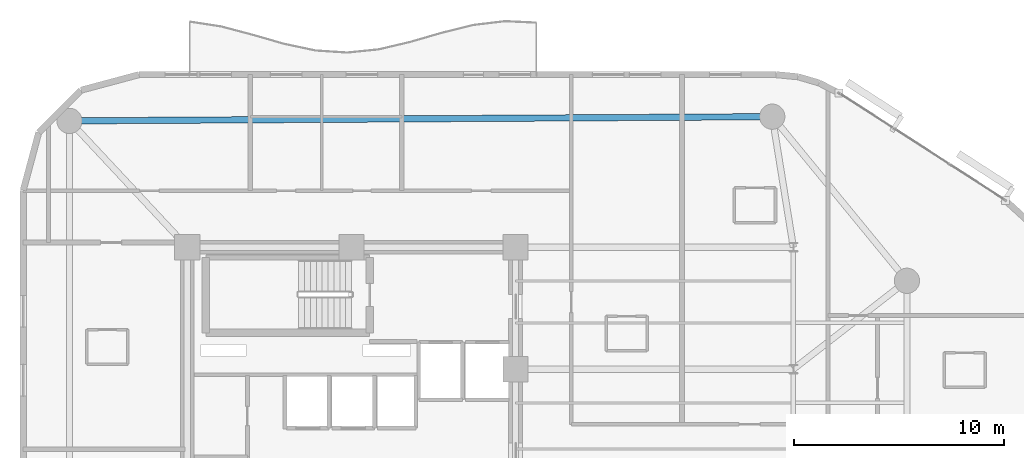
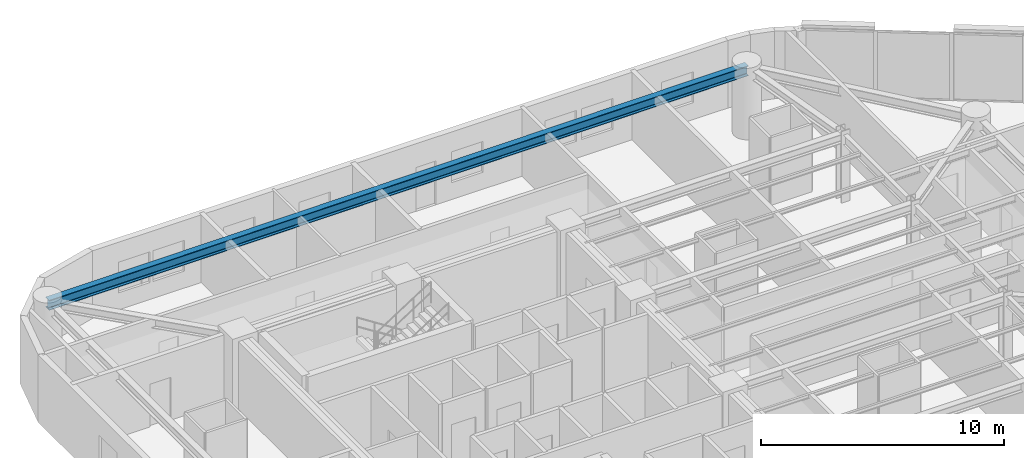
# One storey, part 8 of 16: 1 beam.
"""IFC4 building model written with IfcOpenShell, lengths in metres."""

from ifc_helpers import new_model, si_unit, direction, frame, origin, origin_2d, place, context, subcontext, project, spatial, i_section, extrude, material, material_profile, profile_set, type_object, element, save


model = new_model("IFC4")

# Units and contexts
model_context = context("Model", 3, precision=1e-05, world=origin(), true_north=direction((0.0, 1.0)))
body_context = subcontext(model_context, "Body", "Model", "MODEL_VIEW")
ifc_project = project(units=[si_unit("LENGTHUNIT", "METRE"), si_unit("AREAUNIT", "SQUARE_METRE"), si_unit("VOLUMEUNIT", "CUBIC_METRE"), si_unit("PLANEANGLEUNIT", "RADIAN"), si_unit("MASSUNIT", "GRAM", prefix="KILO")], contexts=[model_context])

# Site, building, storey
site_placement = place(None, origin())
site = spatial("IfcSite", under=ifc_project, at=site_placement, CompositionType="ELEMENT")
building_placement = place(site_placement, origin())
building = spatial("IfcBuilding", under=site, at=building_placement, Name="An Khanh Terracotta Commons", CompositionType="ELEMENT")
storey_placement = place(building_placement, frame((0.0, 0.0, 151.0)))
storey = spatial("IfcBuildingStorey", under=building, at=storey_placement, Name="L39", CompositionType="ELEMENT", Elevation=151.0)

# Beam
ifc_material = material(Name="Steel S355J2", Category="steel")
ifc_material_profile = material_profile(ifc_material, i_section(OverallWidth=0.300048828125, OverallDepth=0.5, WebThickness=0.014404296875, FlangeThickness=0.028076171875, FilletRadius=0.027099609375, at=origin_2d()), Name="HEB500")
ifc_profile_set = profile_set([ifc_material_profile], Name="Steel S355J2")
beam_type = type_object("IfcBeamType", Name="BM-HEB500", PredefinedType="BEAM", material=ifc_profile_set)
beam_placement = place(storey_placement, frame((49.39990234375, 39.800048828125, 3.14990234375), z_axis=(-0.999982080914, -0.005986472262, 0.0), x_axis=(0.005986472262, -0.999982080914, 0.0)))
element("IfcBeam", 1, at=beam_placement, inside=storey, type_object=beam_type, Name="L39 Perimeter Ring Spandrel 5", PredefinedType="BEAM", context=body_context, shape_type="SweptSolid", body=[
    extrude(i_section(OverallWidth=0.300048828125, OverallDepth=0.5, WebThickness=0.014404296875, FlangeThickness=0.028076171875, FilletRadius=0.027099609375, at=origin_2d()), origin(), (0.0, 0.0, 1.0), 33.400390625),
])

save(model, "model.ifc")
